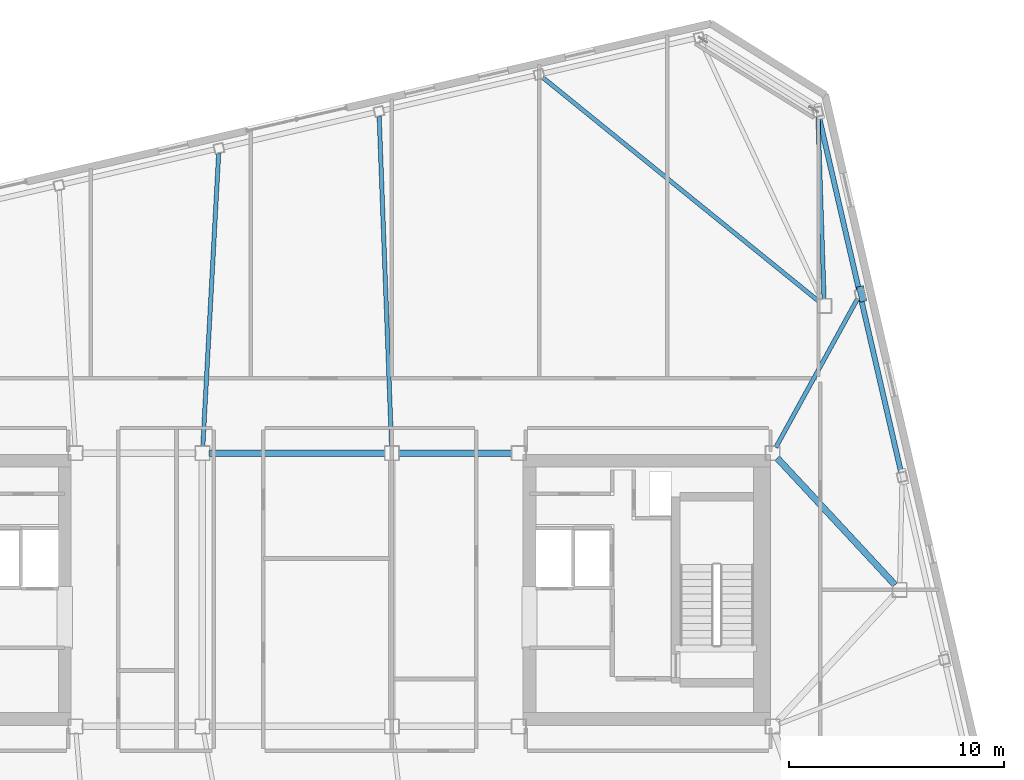
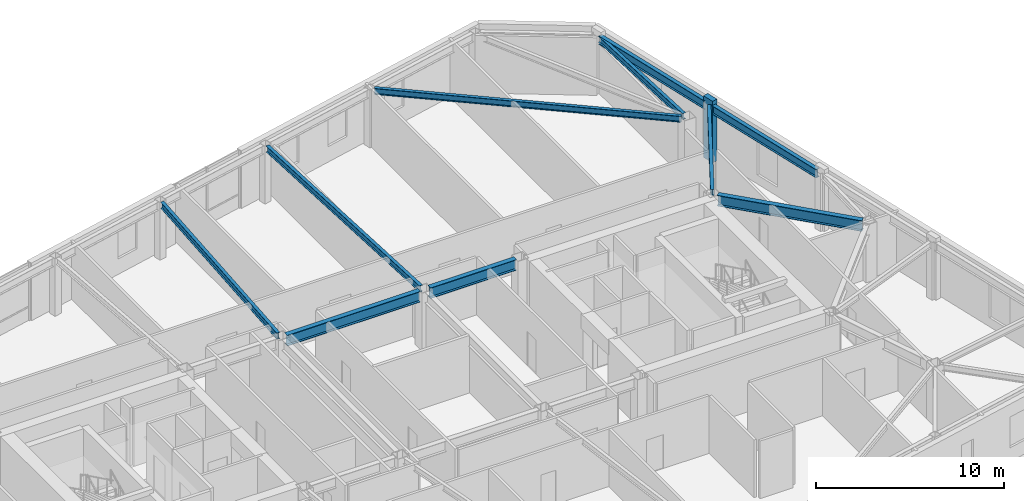
# One storey, part 12 of 23: 10 beams, 1 member.
"""IFC4 building model written with IfcOpenShell, lengths in metres."""

from ifc_helpers import new_model, si_unit, direction, frame, origin, origin_2d, place, context, subcontext, project, spatial, rectangle, i_section, extrude, material, material_profile, profile_set, type_object, element, save


model = new_model("IFC4")

# Units and contexts
model_context = context("Model", 3, precision=1e-05, world=origin(), true_north=direction((0.0, 1.0)))
body_context = subcontext(model_context, "Body", "Model", "MODEL_VIEW")
ifc_project = project(units=[si_unit("LENGTHUNIT", "METRE"), si_unit("AREAUNIT", "SQUARE_METRE"), si_unit("VOLUMEUNIT", "CUBIC_METRE"), si_unit("PLANEANGLEUNIT", "RADIAN"), si_unit("MASSUNIT", "GRAM", prefix="KILO")], contexts=[model_context])

# Site, building, storey
site_placement = place(None, origin())
site = spatial("IfcSite", under=ifc_project, at=site_placement, CompositionType="ELEMENT")
building_placement = place(site_placement, origin())
building = spatial("IfcBuilding", under=site, at=building_placement, Name="Tavrogorsk Clinical Tower", CompositionType="ELEMENT")
storey_placement = place(building_placement, frame((0.0, 0.0, 289.0)))
storey = spatial("IfcBuildingStorey", under=building, at=storey_placement, Name="L67", CompositionType="ELEMENT", Elevation=289.0)

# Beams
ifc_material_1 = material(Name="Structural steel S355", Category="steel")
ifc_material_profile_1 = material_profile(ifc_material_1, i_section(OverallWidth=0.199951171875, OverallDepth=0.39990234375, WebThickness=0.010498046875, FlangeThickness=0.01611328125, at=origin_2d()), Name="B-400x200x10.5x16")
ifc_profile_set_1 = profile_set([ifc_material_profile_1], Name="Structural steel S355")
beam_type_1 = type_object("IfcBeamType", Name="FloorBeam_B400", PredefinedType="BEAM", material=ifc_profile_set_1)
beam_1_placement = place(storey_placement, frame((24.25927734375, 13.395263671875, 3.5400390625), z_axis=(-0.77675399059, 0.629804126774, 0.0), x_axis=(-0.629804126774, -0.77675399059, 0.0)))
element("IfcBeam", 1, at=beam_1_placement, inside=storey, type_object=beam_type_1, Name="L67 Radial Floor Beam N2", PredefinedType="BEAM", context=body_context, shape_type="SweptSolid", body=[
    extrude(i_section(OverallWidth=0.199951171875, OverallDepth=0.39990234375, WebThickness=0.010498046875, FlangeThickness=0.01611328125, at=origin_2d()), origin(), (0.0, 0.0, 1.0), 16.524169921875),
])
beam_2_placement = place(storey_placement, frame((4.388427734375, 6.65966796875, 3.5400390625), z_axis=(-0.037472270853, 0.999297667823, 0.0), x_axis=(-0.999297667823, -0.037472270853, 0.0)))
element("IfcBeam", 2, at=beam_2_placement, inside=storey, type_object=beam_type_1, Name="L67 Radial Floor Beam N3", PredefinedType="BEAM", context=body_context, shape_type="SweptSolid", body=[
    extrude(i_section(OverallWidth=0.199951171875, OverallDepth=0.39990234375, WebThickness=0.010498046875, FlangeThickness=0.01611328125, at=origin_2d()), origin(), (0.0, 0.0, 1.0), 15.349853515625),
])
beam_3_placement = place(storey_placement, frame((-4.38330078125, 6.65966796875, 3.5400390625), z_axis=(0.053993102157, 0.998541308569, 0.0), x_axis=(-0.998541308569, 0.053993102157, 0.0)))
element("IfcBeam", 3, at=beam_3_placement, inside=storey, type_object=beam_type_1, Name="L67 Radial Floor Beam N4", PredefinedType="BEAM", context=body_context, shape_type="SweptSolid", body=[
    extrude(i_section(OverallWidth=0.199951171875, OverallDepth=0.39990234375, WebThickness=0.010498046875, FlangeThickness=0.01611328125, at=origin_2d()), origin(), (0.0, 0.0, 1.0), 13.64208984375),
])
beam_4_placement = place(storey_placement, frame((22.249267578125, 6.62158203125, 3.5400390625), z_axis=(0.481705874182, 0.876332956574, 0.0), x_axis=(-0.876332956574, 0.481705874182, 0.0)))
element("IfcBeam", 4, at=beam_4_placement, inside=storey, type_object=beam_type_1, Name="L67 Radial Floor Beam E4", PredefinedType="BEAM", context=body_context, shape_type="SweptSolid", body=[
    extrude(i_section(OverallWidth=0.199951171875, OverallDepth=0.39990234375, WebThickness=0.010498046875, FlangeThickness=0.01611328125, at=origin_2d()), origin(), (0.0, 0.0, 1.0), 7.881103515625),
])
beam_5_placement = place(storey_placement, frame((24.48974609375, 13.509765625, 3.5400390625), z_axis=(-0.033421222185, 0.999441354912, 0.0), x_axis=(-0.999441354912, -0.033421222185, 0.0)))
element("IfcBeam", 5, at=beam_5_placement, inside=storey, type_object=beam_type_1, Name="L67 Radial Floor Beam E5", PredefinedType="BEAM", context=body_context, shape_type="SweptSolid", body=[
    extrude(i_section(OverallWidth=0.199951171875, OverallDepth=0.39990234375, WebThickness=0.010498046875, FlangeThickness=0.01611328125, at=origin_2d()), origin(), (0.0, 0.0, 1.0), 8.48095703125),
])

# Member
ifc_material_2 = material(Name="Precast concrete B45 with limestone cladding", Category="masonry")
ifc_material_profile_2 = material_profile(ifc_material_2, rectangle(XDim=0.320068359375, YDim=0.719970703125, at=origin_2d()), Name="LIMESTONE-FIN-320x720")
ifc_profile_set_2 = profile_set([ifc_material_profile_2], Name="Precast concrete B45 with limestone cladding")
member_type = type_object("IfcMemberType", Name="LimestonePleatFin_320x720", PredefinedType="USERDEFINED", material=ifc_profile_set_2)
member_placement = place(storey_placement, frame((26.23583984375, 13.750244140625, 0.0), z_axis=(0.0, 0.0, 1.0), x_axis=(0.974370064785, 0.224951054344, 0.0)))
element("IfcMember", 6, at=member_placement, inside=storey, type_object=member_type, Name="L67 E Pleated Stone Fin 3", ObjectType="FIN", PredefinedType="USERDEFINED", context=body_context, shape_type="SweptSolid", body=[
    extrude(rectangle(XDim=0.320068359375, YDim=0.719970703125, at=origin_2d()), origin(), (0.0, 0.0, 1.0), 4.0),
])

# Beams
ifc_material_3 = material(Name="Structural steel S390", Category="steel")
ifc_material_profile_3 = material_profile(ifc_material_3, i_section(OverallWidth=0.300048828125, OverallDepth=0.699951171875, WebThickness=0.01708984375, FlangeThickness=0.028076171875, at=origin_2d()), Name="B-700x300x17x28")
ifc_profile_set_3 = profile_set([ifc_material_profile_3], Name="Structural steel S390")
beam_type_2 = type_object("IfcBeamType", Name="PrimaryGirder_B700", PredefinedType="USERDEFINED", material=ifc_profile_set_3)
beam_6_placement = place(storey_placement, frame((-4.090087890625, 6.35009765625, 3.389892578125), z_axis=(1.0, 0.0, 0.0), x_axis=(0.0, 1.0, 0.0)))
element("IfcBeam", 7, at=beam_6_placement, inside=storey, type_object=beam_type_2, Name="L67 Primary Spine Girder MG-04", ObjectType="GIRDER", PredefinedType="USERDEFINED", context=body_context, shape_type="SweptSolid", body=[
    extrude(i_section(OverallWidth=0.300048828125, OverallDepth=0.699951171875, WebThickness=0.01708984375, FlangeThickness=0.028076171875, at=origin_2d()), origin(), (0.0, 0.0, 1.0), 8.18017578125),
])
beam_7_placement = place(storey_placement, frame((4.7099609375, 6.35009765625, 3.389892578125), z_axis=(1.0, 0.0, 0.0), x_axis=(0.0, 1.0, 0.0)))
element("IfcBeam", 8, at=beam_7_placement, inside=storey, type_object=beam_type_2, Name="L67 Primary Spine Girder MG-06", ObjectType="GIRDER", PredefinedType="USERDEFINED", context=body_context, shape_type="SweptSolid", body=[
    extrude(i_section(OverallWidth=0.300048828125, OverallDepth=0.699951171875, WebThickness=0.01708984375, FlangeThickness=0.028076171875, at=origin_2d()), origin(), (0.0, 0.0, 1.0), 5.280029296875),
])
beam_8_placement = place(storey_placement, frame((27.7890625, 0.22705078125, 3.389892578125), z_axis=(-0.680677963005, 0.732582767119, 0.0), x_axis=(-0.732582767119, -0.680677963005, 0.0)))
element("IfcBeam", 9, at=beam_8_placement, inside=storey, type_object=beam_type_2, Name="L67 Spine Link Girder OPG-8", ObjectType="GIRDER", PredefinedType="USERDEFINED", context=body_context, shape_type="SweptSolid", body=[
    extrude(i_section(OverallWidth=0.300048828125, OverallDepth=0.699951171875, WebThickness=0.01708984375, FlangeThickness=0.028076171875, at=origin_2d()), origin(), (0.0, 0.0, 1.0), 8.0478515625),
])
ifc_material_4 = material(Name="Structural steel S390", Category="steel")
ifc_material_profile_4 = material_profile(ifc_material_4, i_section(OverallWidth=0.239990234375, OverallDepth=0.550048828125, WebThickness=0.013916015625, FlangeThickness=0.02197265625, at=origin_2d()), Name="B-550x240x14x22")
ifc_profile_set_4 = profile_set([ifc_material_profile_4], Name="Structural steel S390")
beam_type_3 = type_object("IfcBeamType", Name="SpandrelBeam_B550", PredefinedType="SPANDREL", material=ifc_profile_set_4)
beam_9_placement = place(storey_placement, frame((28.06494140625, 5.472412109375, 3.465087890625), z_axis=(-0.224978460613, 0.974363737144, 0.0), x_axis=(-0.974363737144, -0.224978460613, 0.0)))
element("IfcBeam", 10, at=beam_9_placement, inside=storey, type_object=beam_type_3, Name="L67 Perimeter Spandrel E3-E4", PredefinedType="SPANDREL", context=body_context, shape_type="SweptSolid", body=[
    extrude(i_section(OverallWidth=0.239990234375, OverallDepth=0.550048828125, WebThickness=0.013916015625, FlangeThickness=0.02197265625, at=origin_2d()), origin(), (0.0, 0.0, 1.0), 8.244140625),
])
beam_10_placement = place(storey_placement, frame((26.10546875, 13.959228515625, 3.465087890625), z_axis=(-0.224950345141, 0.974370228517, 0.0), x_axis=(-0.974370228517, -0.224950345141, 0.0)))
element("IfcBeam", 11, at=beam_10_placement, inside=storey, type_object=beam_type_3, Name="L67 Perimeter Spandrel E4-E5", PredefinedType="SPANDREL", context=body_context, shape_type="SweptSolid", body=[
    extrude(i_section(OverallWidth=0.239990234375, OverallDepth=0.550048828125, WebThickness=0.013916015625, FlangeThickness=0.02197265625, at=origin_2d()), origin(), (0.0, 0.0, 1.0), 8.243896484375),
])

save(model, "model.ifc")
